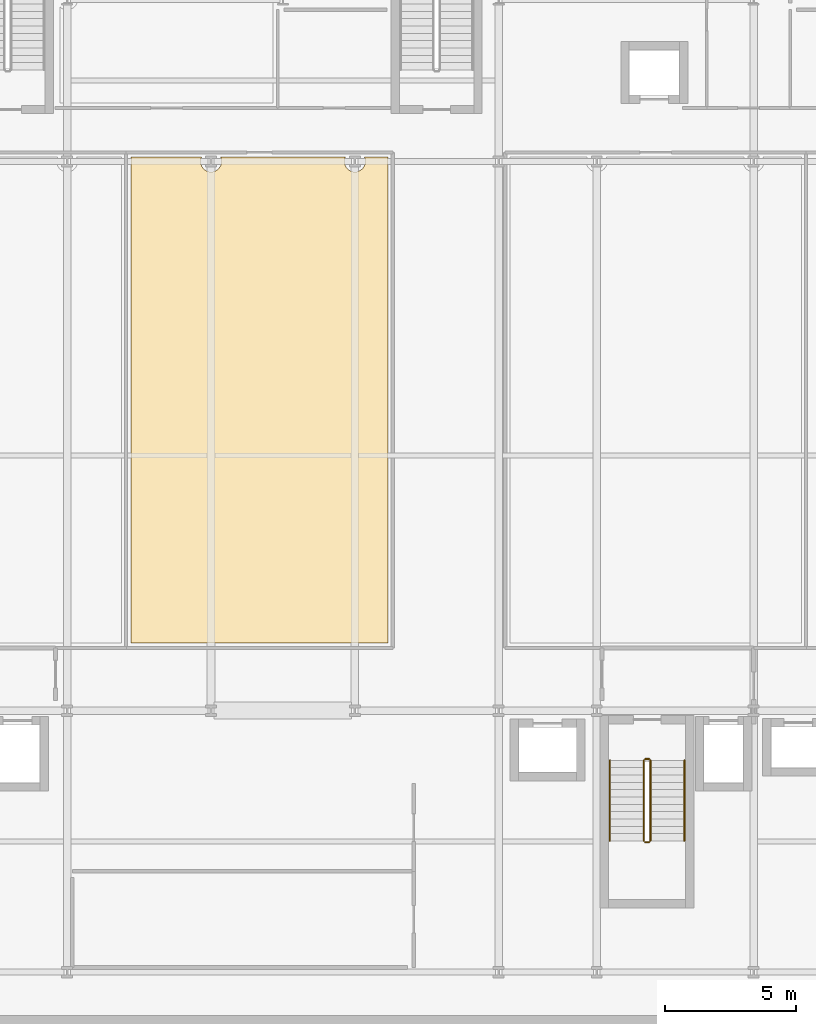
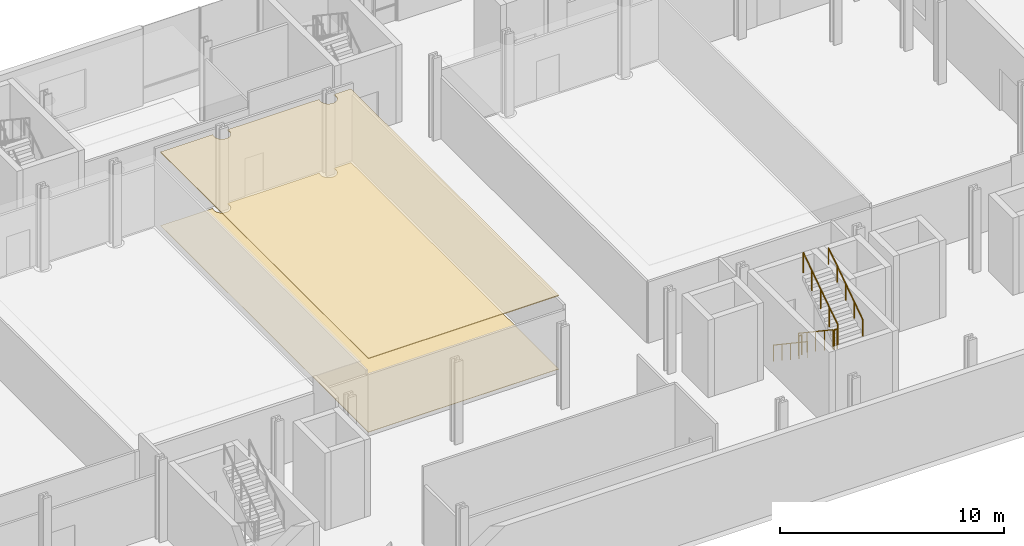
# One storey, part 22 of 26: 6 railings, 2 coverings.
"""IFC4 building model written with IfcOpenShell, lengths in metres."""

from ifc_helpers import new_model, si_unit, direction, frame, origin, origin_2d, place, context, subcontext, project, spatial, polyline, circle, outline, extrude, material, layer, layer_set, type_object, element, save


model = new_model("IFC4")

# Units and contexts
model_context = context("Model", 3, precision=1e-05, world=origin(), true_north=direction((0.0, 1.0)))
body_context = subcontext(model_context, "Body", "Model", "MODEL_VIEW")
ifc_project = project(units=[si_unit("LENGTHUNIT", "METRE"), si_unit("AREAUNIT", "SQUARE_METRE"), si_unit("VOLUMEUNIT", "CUBIC_METRE"), si_unit("PLANEANGLEUNIT", "RADIAN"), si_unit("MASSUNIT", "GRAM", prefix="KILO")], contexts=[model_context])

# Site, building, storey
site_placement = place(None, origin())
site = spatial("IfcSite", under=ifc_project, at=site_placement, CompositionType="ELEMENT")
building_placement = place(site_placement, origin())
building = spatial("IfcBuilding", under=site, at=building_placement, Name="Brevholm Reach", CompositionType="ELEMENT")
storey_placement = place(building_placement, frame((0.0, 0.0, 18.0)))
storey = spatial("IfcBuildingStorey", under=building, at=storey_placement, Name="L04", CompositionType="ELEMENT", Elevation=18.0)

# Coverings
ifc_material_1 = material(Name="Perforated Mineral-Fibre Class-A Acoustic Suspended Ceiling", Category="gypsum")
ifc_layer_1 = layer(ifc_material_1, 0.044921875)
ifc_layer_set_1 = layer_set([ifc_layer_1], Name="Perforated Mineral-Fibre Class-A Acoustic Suspended Ceiling")
covering_type_1 = type_object("IfcCoveringType", Name="COV-CLG-AC", PredefinedType="CEILING", material=ifc_layer_set_1)
covering_1_placement = place(storey_placement, frame((0.0, 0.0, 4.0048828125)))
element("IfcCovering", 1, at=covering_1_placement, inside=storey, type_object=covering_type_1, Name="L04 Suspended Ceiling L04-33", PredefinedType="CEILING", context=body_context, shape_type="SweptSolid", body=[
    extrude(outline(polyline([(26.88671875, 31.166015625), (26.88037109375, 31.153076171875), (26.8671875, 31.1162109375), (26.857666015625, 31.077880859375), (26.851806640625, 31.039306640625), (26.85009765625, 31.0), (26.851806640625, 30.960693359375), (26.857666015625, 30.922119140625), (26.8671875, 30.8837890625), (26.88037109375, 30.846923828125), (26.897216796875, 30.811279296875), (26.91748046875, 30.77783203125), (26.94091796875, 30.74609375), (26.96728515625, 30.71728515625), (26.99609375, 30.69091796875), (27.02783203125, 30.66748046875), (27.061279296875, 30.647216796875), (27.096923828125, 30.63037109375), (27.1337890625, 30.6171875), (27.172119140625, 30.607666015625), (27.210693359375, 30.601806640625), (27.25, 30.60009765625), (27.289306640625, 30.601806640625), (27.327880859375, 30.607666015625), (27.3662109375, 30.6171875), (27.403076171875, 30.63037109375), (27.438720703125, 30.647216796875), (27.47216796875, 30.66748046875), (27.50390625, 30.69091796875), (27.53271484375, 30.71728515625), (27.55908203125, 30.74609375), (27.58251953125, 30.77783203125), (27.602783203125, 30.811279296875), (27.61962890625, 30.846923828125), (27.6328125, 30.8837890625), (27.642333984375, 30.922119140625), (27.648193359375, 30.960693359375), (27.64990234375, 31.0), (27.648193359375, 31.039306640625), (27.642333984375, 31.077880859375), (27.6328125, 31.1162109375), (27.61962890625, 31.153076171875), (27.61328125, 31.166015625), (32.38671875, 31.166015625), (32.38037109375, 31.153076171875), (32.3671875, 31.1162109375), (32.357666015625, 31.077880859375), (32.351806640625, 31.039306640625), (32.35009765625, 31.0), (32.351806640625, 30.960693359375), (32.357666015625, 30.922119140625), (32.3671875, 30.8837890625), (32.38037109375, 30.846923828125), (32.397216796875, 30.811279296875), (32.41748046875, 30.77783203125), (32.44091796875, 30.74609375), (32.46728515625, 30.71728515625), (32.49609375, 30.69091796875), (32.52783203125, 30.66748046875), (32.561279296875, 30.647216796875), (32.596923828125, 30.63037109375), (32.6337890625, 30.6171875), (32.672119140625, 30.607666015625), (32.710693359375, 30.601806640625), (32.75, 30.60009765625), (32.789306640625, 30.601806640625), (32.827880859375, 30.607666015625), (32.8662109375, 30.6171875), (32.903076171875, 30.63037109375), (32.938720703125, 30.647216796875), (32.97216796875, 30.66748046875), (33.00390625, 30.69091796875), (33.03271484375, 30.71728515625), (33.05908203125, 30.74609375), (33.08251953125, 30.77783203125), (33.102783203125, 30.811279296875), (33.11962890625, 30.846923828125), (33.1328125, 30.8837890625), (33.142333984375, 30.922119140625), (33.148193359375, 30.960693359375), (33.14990234375, 31.0), (33.148193359375, 31.039306640625), (33.142333984375, 31.077880859375), (33.1328125, 31.1162109375), (33.11962890625, 31.153076171875), (33.11328125, 31.166015625), (34.01611328125, 31.166015625), (34.01611328125, 12.583984375), (24.18408203125, 12.583984375), (24.18408203125, 31.166015625), (26.88671875, 31.166015625)])), origin(), (0.0, 0.0, 1.0), 0.045166015625),
])
ifc_material_2 = material(Name="Engineered European Oak Acoustic Plank Flooring", Category="timber")
ifc_layer_2 = layer(ifc_material_2, 0.02197265625)
ifc_layer_set_2 = layer_set([ifc_layer_2], Name="Engineered European Oak Acoustic Plank Flooring")
covering_type_2 = type_object("IfcCoveringType", Name="COV-FLR-OAK", PredefinedType="FLOORING", material=ifc_layer_set_2)
covering_2_placement = place(storey_placement, origin())
element("IfcCovering", 2, at=covering_2_placement, inside=storey, type_object=covering_type_2, Name="L04 Floor Finish L04-33", PredefinedType="FLOORING", context=body_context, shape_type="SweptSolid", body=[
    extrude(outline(polyline([(26.88671875, 31.166015625), (26.88037109375, 31.153076171875), (26.8671875, 31.1162109375), (26.857666015625, 31.077880859375), (26.851806640625, 31.039306640625), (26.85009765625, 31.0), (26.851806640625, 30.960693359375), (26.857666015625, 30.922119140625), (26.8671875, 30.8837890625), (26.88037109375, 30.846923828125), (26.897216796875, 30.811279296875), (26.91748046875, 30.77783203125), (26.94091796875, 30.74609375), (26.96728515625, 30.71728515625), (26.99609375, 30.69091796875), (27.02783203125, 30.66748046875), (27.061279296875, 30.647216796875), (27.096923828125, 30.63037109375), (27.1337890625, 30.6171875), (27.172119140625, 30.607666015625), (27.210693359375, 30.601806640625), (27.25, 30.60009765625), (27.289306640625, 30.601806640625), (27.327880859375, 30.607666015625), (27.3662109375, 30.6171875), (27.403076171875, 30.63037109375), (27.438720703125, 30.647216796875), (27.47216796875, 30.66748046875), (27.50390625, 30.69091796875), (27.53271484375, 30.71728515625), (27.55908203125, 30.74609375), (27.58251953125, 30.77783203125), (27.602783203125, 30.811279296875), (27.61962890625, 30.846923828125), (27.6328125, 30.8837890625), (27.642333984375, 30.922119140625), (27.648193359375, 30.960693359375), (27.64990234375, 31.0), (27.648193359375, 31.039306640625), (27.642333984375, 31.077880859375), (27.6328125, 31.1162109375), (27.61962890625, 31.153076171875), (27.61328125, 31.166015625), (32.38671875, 31.166015625), (32.38037109375, 31.153076171875), (32.3671875, 31.1162109375), (32.357666015625, 31.077880859375), (32.351806640625, 31.039306640625), (32.35009765625, 31.0), (32.351806640625, 30.960693359375), (32.357666015625, 30.922119140625), (32.3671875, 30.8837890625), (32.38037109375, 30.846923828125), (32.397216796875, 30.811279296875), (32.41748046875, 30.77783203125), (32.44091796875, 30.74609375), (32.46728515625, 30.71728515625), (32.49609375, 30.69091796875), (32.52783203125, 30.66748046875), (32.561279296875, 30.647216796875), (32.596923828125, 30.63037109375), (32.6337890625, 30.6171875), (32.672119140625, 30.607666015625), (32.710693359375, 30.601806640625), (32.75, 30.60009765625), (32.789306640625, 30.601806640625), (32.827880859375, 30.607666015625), (32.8662109375, 30.6171875), (32.903076171875, 30.63037109375), (32.938720703125, 30.647216796875), (32.97216796875, 30.66748046875), (33.00390625, 30.69091796875), (33.03271484375, 30.71728515625), (33.05908203125, 30.74609375), (33.08251953125, 30.77783203125), (33.102783203125, 30.811279296875), (33.11962890625, 30.846923828125), (33.1328125, 30.8837890625), (33.142333984375, 30.922119140625), (33.148193359375, 30.960693359375), (33.14990234375, 31.0), (33.148193359375, 31.039306640625), (33.142333984375, 31.077880859375), (33.1328125, 31.1162109375), (33.11962890625, 31.153076171875), (33.11328125, 31.166015625), (34.01611328125, 31.166015625), (34.01611328125, 12.583984375), (24.18408203125, 12.583984375), (24.18408203125, 31.166015625), (26.88671875, 31.166015625)])), origin(), (0.0, 0.0, 1.0), 0.02197265625),
])

# Railings
ifc_material_3 = material(Name="Brushed Stainless Steel EN 1.4401 Continuous Handrail", Category="steel")
railing_type_1 = type_object("IfcRailingType", Name="RAL-HND-950", PredefinedType="HANDRAIL", material=ifc_material_3)
railing_1_placement = place(storey_placement, frame((42.5, 8.10009765625, 0.1875)))
element("IfcRailing", 3, at=railing_1_placement, inside=storey, type_object=railing_type_1, Name="L04 ST-2 stair handrail 1", PredefinedType="HANDRAIL", context=body_context, shape_type="SweptSolid", body=[
    extrude(circle(Radius=0.02392578125, at=origin_2d()), frame((0.0, 0.0, 0.8857421875), z_axis=(0.0, -0.830913701846, 0.55640131208), x_axis=(1.0, 0.0, 0.0)), (0.0, 0.0, 1.0), 3.706787109375),
    extrude(circle(Radius=0.02099609375, at=origin_2d()), origin(), (0.0, 0.0, 1.0), 0.86181640625),
    extrude(circle(Radius=0.02099609375, at=origin_2d()), frame((0.0, -0.77001953125, 0.515625)), (0.0, 0.0, 1.0), 0.86181640625),
    extrude(circle(Radius=0.02099609375, at=origin_2d()), frame((0.0, -1.5400390625, 1.03125)), (0.0, 0.0, 1.0), 0.86181640625),
    extrude(circle(Radius=0.02099609375, at=origin_2d()), frame((0.0, -2.31005859375, 1.546875)), (0.0, 0.0, 1.0), 0.86181640625),
    extrude(circle(Radius=0.02099609375, at=origin_2d()), frame((0.0, -3.080078125, 2.0625)), (0.0, 0.0, 1.0), 0.86181640625),
])
railing_2_placement = place(storey_placement, frame((45.35009765625, 5.02001953125, 2.4375)))
element("IfcRailing", 4, at=railing_2_placement, inside=storey, type_object=railing_type_1, Name="L04 ST-2 stair handrail 2", PredefinedType="HANDRAIL", context=body_context, shape_type="SweptSolid", body=[
    extrude(circle(Radius=0.02392578125, at=origin_2d()), frame((0.0, 0.0, 0.8857421875), z_axis=(0.0, 0.830913701846, 0.55640131208), x_axis=(-1.0, 0.0, 0.0)), (0.0, 0.0, 1.0), 3.706787109375),
    extrude(circle(Radius=0.02099609375, at=origin_2d()), origin(), (0.0, 0.0, 1.0), 0.86181640625),
    extrude(circle(Radius=0.02099609375, at=origin_2d()), frame((0.0, 0.77001953125, 0.515625)), (0.0, 0.0, 1.0), 0.86181640625),
    extrude(circle(Radius=0.02099609375, at=origin_2d()), frame((0.0, 1.5400390625, 1.03125)), (0.0, 0.0, 1.0), 0.86181640625),
    extrude(circle(Radius=0.02099609375, at=origin_2d()), frame((0.0, 2.31005859375, 1.546875)), (0.0, 0.0, 1.0), 0.86181640625),
    extrude(circle(Radius=0.02099609375, at=origin_2d()), frame((0.0, 3.080078125, 2.0625)), (0.0, 0.0, 1.0), 0.86181640625),
])
ifc_material_4 = material(Name="Painted Tubular Galvanised Steel S275JR Stair Guard", Category="steel")
railing_type_2 = type_object("IfcRailingType", Name="RAL-STG-1120", PredefinedType="BALUSTRADE", material=ifc_material_4)
railing_3_placement = place(storey_placement, frame((43.800048828125, 8.10009765625, 0.1875)))
element("IfcRailing", 5, at=railing_3_placement, inside=storey, type_object=railing_type_2, Name="L04 ST-2 stair guard 1", PredefinedType="BALUSTRADE", context=body_context, shape_type="SweptSolid", body=[
    extrude(circle(Radius=0.02392578125, at=origin_2d()), frame((0.0, 0.0, 1.076171875), z_axis=(0.0, -0.830913701846, 0.55640131208), x_axis=(1.0, 0.0, 0.0)), (0.0, 0.0, 1.0), 3.706787109375),
    extrude(circle(Radius=0.02099609375, at=origin_2d()), origin(), (0.0, 0.0, 1.0), 1.052001953125),
    extrude(circle(Radius=0.02099609375, at=origin_2d()), frame((0.0, -0.77001953125, 0.515625)), (0.0, 0.0, 1.0), 1.052001953125),
    extrude(circle(Radius=0.02099609375, at=origin_2d()), frame((0.0, -1.5400390625, 1.03125)), (0.0, 0.0, 1.0), 1.052001953125),
    extrude(circle(Radius=0.02099609375, at=origin_2d()), frame((0.0, -2.31005859375, 1.546875)), (0.0, 0.0, 1.0), 1.052001953125),
    extrude(circle(Radius=0.02099609375, at=origin_2d()), frame((0.0, -3.080078125, 2.0625)), (0.0, 0.0, 1.0), 1.052001953125),
])
railing_4_placement = place(storey_placement, frame((43.85009765625, 4.969970703125, 2.25)))
element("IfcRailing", 6, at=railing_4_placement, inside=storey, type_object=railing_type_2, Name="L04 ST-2 stair guard 2", PredefinedType="BALUSTRADE", context=body_context, shape_type="SweptSolid", body=[
    extrude(circle(Radius=0.02392578125, at=origin_2d()), frame((0.0, 0.0, 1.076171875), z_axis=(1.0, 0.0, 0.0), x_axis=(0.0, 1.0, 0.0)), (0.0, 0.0, 1.0), 0.14990234375),
    extrude(circle(Radius=0.02099609375, at=origin_2d()), origin(), (0.0, 0.0, 1.0), 1.052001953125),
    extrude(circle(Radius=0.02099609375, at=origin_2d()), frame((0.14990234375, 0.0, 0.0)), (0.0, 0.0, 1.0), 1.052001953125),
])
railing_5_placement = place(storey_placement, frame((44.050048828125, 5.02001953125, 2.4375)))
element("IfcRailing", 7, at=railing_5_placement, inside=storey, type_object=railing_type_2, Name="L04 ST-2 stair guard 3", PredefinedType="BALUSTRADE", context=body_context, shape_type="SweptSolid", body=[
    extrude(circle(Radius=0.02392578125, at=origin_2d()), frame((0.0, 0.0, 1.076171875), z_axis=(0.0, 0.830913701846, 0.55640131208), x_axis=(-1.0, 0.0, 0.0)), (0.0, 0.0, 1.0), 3.706787109375),
    extrude(circle(Radius=0.02099609375, at=origin_2d()), origin(), (0.0, 0.0, 1.0), 1.052001953125),
    extrude(circle(Radius=0.02099609375, at=origin_2d()), frame((0.0, 0.77001953125, 0.515625)), (0.0, 0.0, 1.0), 1.052001953125),
    extrude(circle(Radius=0.02099609375, at=origin_2d()), frame((0.0, 1.5400390625, 1.03125)), (0.0, 0.0, 1.0), 1.052001953125),
    extrude(circle(Radius=0.02099609375, at=origin_2d()), frame((0.0, 2.31005859375, 1.546875)), (0.0, 0.0, 1.0), 1.052001953125),
    extrude(circle(Radius=0.02099609375, at=origin_2d()), frame((0.0, 3.080078125, 2.0625)), (0.0, 0.0, 1.0), 1.052001953125),
])
railing_6_placement = place(storey_placement, frame((43.85009765625, 8.14990234375, 0.0)))
element("IfcRailing", 8, at=railing_6_placement, inside=storey, type_object=railing_type_2, Name="L04 ST-2 stair guard 4", PredefinedType="BALUSTRADE", context=body_context, shape_type="SweptSolid", body=[
    extrude(circle(Radius=0.02392578125, at=origin_2d()), frame((0.0, 0.0, 1.076171875), z_axis=(1.0, 0.0, 0.0), x_axis=(0.0, 1.0, 0.0)), (0.0, 0.0, 1.0), 0.14990234375),
    extrude(circle(Radius=0.02099609375, at=origin_2d()), origin(), (0.0, 0.0, 1.0), 1.052001953125),
    extrude(circle(Radius=0.02099609375, at=origin_2d()), frame((0.14990234375, 0.0, 0.0)), (0.0, 0.0, 1.0), 1.052001953125),
])

save(model, "model.ifc")
